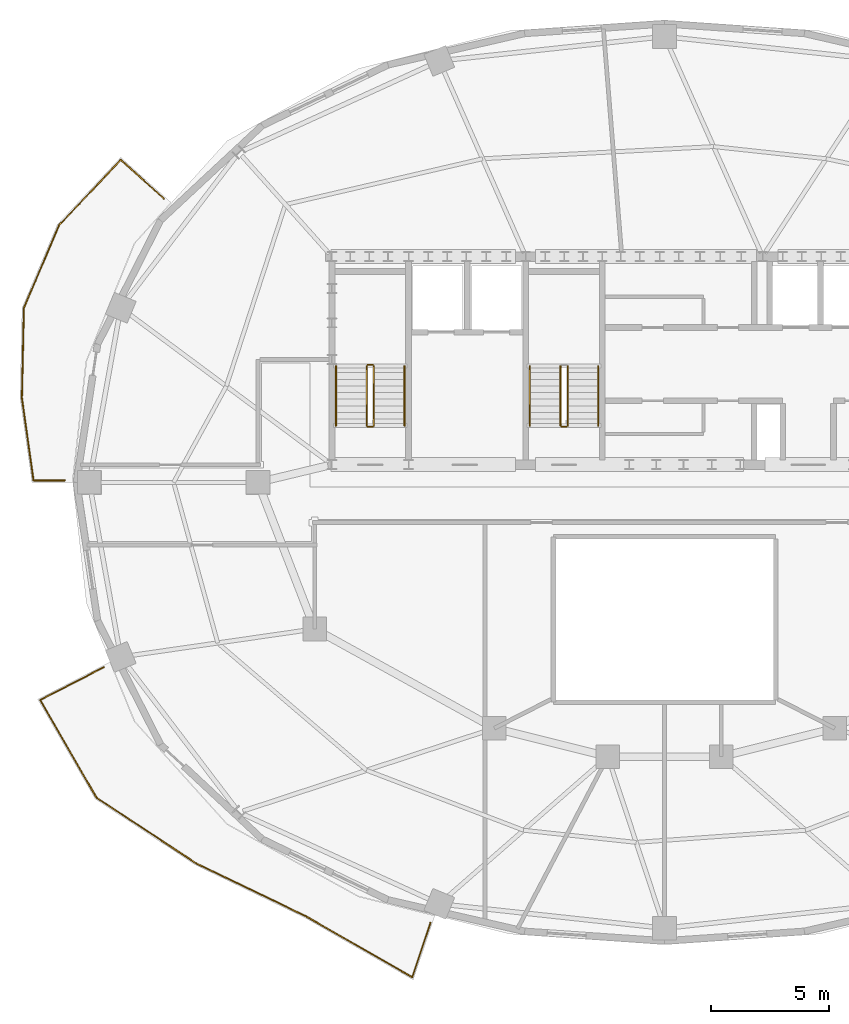
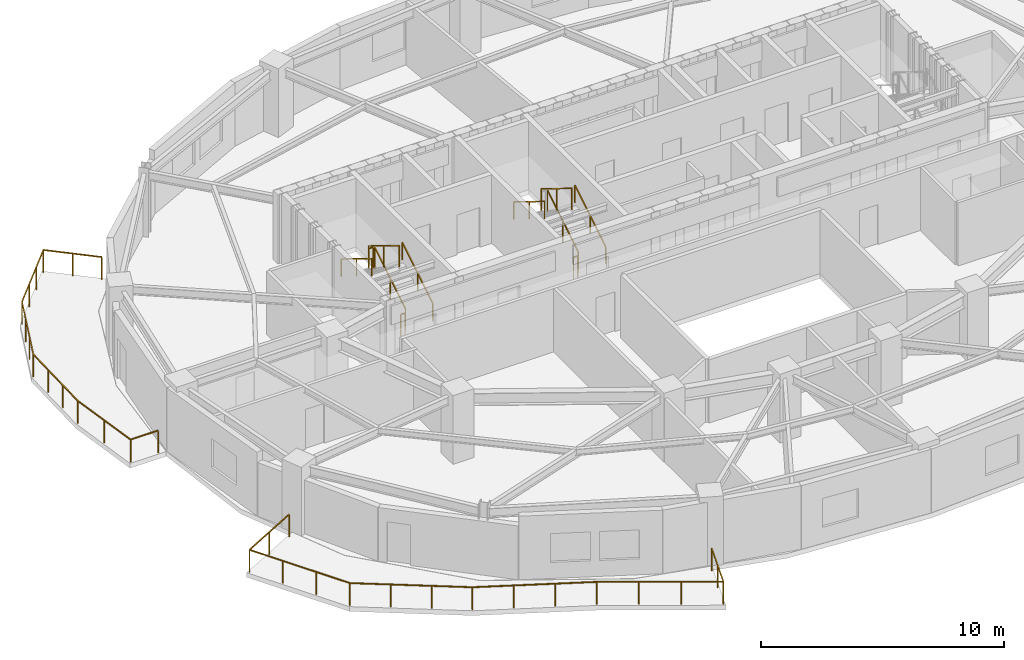
# One storey, part 6 of 9: 13 railings.
"""IFC4 building model written with IfcOpenShell, lengths in metres."""

from ifc_helpers import new_model, si_unit, direction, frame, origin, origin_2d, place, context, subcontext, project, spatial, rectangle, extrude, material, type_object, element, save


model = new_model("IFC4")

# Units and contexts
model_context = context("Model", 3, precision=1e-05, world=origin(), true_north=direction((0.0, 1.0)))
body_context = subcontext(model_context, "Body", "Model", "MODEL_VIEW")
ifc_project = project(units=[si_unit("LENGTHUNIT", "METRE"), si_unit("AREAUNIT", "SQUARE_METRE"), si_unit("VOLUMEUNIT", "CUBIC_METRE"), si_unit("PLANEANGLEUNIT", "RADIAN"), si_unit("MASSUNIT", "GRAM", prefix="KILO")], contexts=[model_context])

# Site, building, storey
site_placement = place(None, origin())
site = spatial("IfcSite", under=ifc_project, at=site_placement, CompositionType="ELEMENT")
building_placement = place(site_placement, origin())
building = spatial("IfcBuilding", under=site, at=building_placement, Name="Haldorwick Loom Tower", CompositionType="ELEMENT")
storey_placement = place(building_placement, frame((0.0, 0.0, 244.35009765625)))
storey = spatial("IfcBuildingStorey", under=building, at=storey_placement, Name="L66", CompositionType="ELEMENT", Elevation=244.35009765625)

# Railings
ifc_material_1 = material(Name="Galvanized Steel CSA G40.21 350W", Category="steel")
railing_type_1 = type_object("IfcRailingType", Name="ARC-RLG-BAL115", PredefinedType="BALUSTRADE", material=ifc_material_1)
railing_1_placement = place(storey_placement, frame((26.09814453125, 7.369384765625, 0.0)))
element("IfcRailing", 1, at=railing_1_placement, inside=storey, type_object=railing_type_1, Name="L66 Outdoor Terrace Guardrail SLB-L66-BAL_SW-1", PredefinedType="BALUSTRADE", context=body_context, shape_type="SweptSolid", body=[
    extrude(rectangle(XDim=0.048095703125, YDim=0.048095703125, at=origin_2d()), frame((0.0, 0.0, 1.1259765625), z_axis=(-0.318097128487, -0.948058129467, 0.0), x_axis=(0.948058129467, -0.318097128487, 0.0)), (0.0, 0.0, 1.0), 2.428466796875),
    extrude(rectangle(XDim=0.048095703125, YDim=0.048095703125, at=origin_2d()), frame((-0.7724609375, -2.30224609375, 1.1259765625), z_axis=(-0.867556557093, 0.497338536858, 0.0), x_axis=(-0.497338536858, -0.867556557093, 0.0)), (0.0, 0.0, 1.0), 5.21435546875),
    extrude(rectangle(XDim=0.048095703125, YDim=0.048095703125, at=origin_2d()), frame((-5.296142578125, 0.291015625, 1.1259765625), z_axis=(-0.88583153528, 0.464006994671, 0.0), x_axis=(-0.464006994671, -0.88583153528, 0.0)), (0.0, 0.0, 1.0), 0.005859375),
    extrude(rectangle(XDim=0.048095703125, YDim=0.048095703125, at=origin_2d()), frame((-5.30126953125, 0.293701171875, 1.1259765625), z_axis=(-0.900959540585, 0.43390310696, 0.0), x_axis=(-0.43390310696, -0.900959540585, 0.0)), (0.0, 0.0, 1.0), 5.117919921875),
    extrude(rectangle(XDim=0.048095703125, YDim=0.048095703125, at=origin_2d()), frame((-9.912353515625, 2.514404296875, 1.1259765625), z_axis=(-0.835016316528, 0.550225182204, 0.0), x_axis=(-0.550225182204, -0.835016316528, 0.0)), (0.0, 0.0, 1.0), 5.044921875),
    extrude(rectangle(XDim=0.048095703125, YDim=0.048095703125, at=origin_2d()), frame((-14.125, 5.290283203125, 1.1259765625), z_axis=(-0.499904092211, 0.866080769092, 0.0), x_axis=(-0.866080769092, -0.499904092211, 0.0)), (0.0, 0.0, 1.0), 4.7705078125),
    extrude(rectangle(XDim=0.048095703125, YDim=0.048095703125, at=origin_2d()), frame((-16.509765625, 9.421875, 1.1259765625), z_axis=(0.888515434259, 0.458846731583, 0.0), x_axis=(-0.458846731583, 0.888515434259, 0.0)), (0.0, 0.0, 1.0), 3.0205078125),
    extrude(rectangle(XDim=0.0419921875, YDim=0.0419921875, at=origin_2d()), origin(), (0.0, 0.0, 1.0), 1.101806640625),
    extrude(rectangle(XDim=0.0419921875, YDim=0.0419921875, at=origin_2d()), frame((-0.38623046875, -1.151123046875, 0.0)), (0.0, 0.0, 1.0), 1.101806640625),
    extrude(rectangle(XDim=0.0419921875, YDim=0.0419921875, at=origin_2d()), frame((-0.7724609375, -2.30224609375, 0.0)), (0.0, 0.0, 1.0), 1.101806640625),
    extrude(rectangle(XDim=0.0419921875, YDim=0.0419921875, at=origin_2d()), frame((-2.2802734375, -1.437744140625, 0.0)), (0.0, 0.0, 1.0), 1.101806640625),
    extrude(rectangle(XDim=0.0419921875, YDim=0.0419921875, at=origin_2d()), frame((-3.788330078125, -0.573486328125, 0.0)), (0.0, 0.0, 1.0), 1.101806640625),
    extrude(rectangle(XDim=0.0419921875, YDim=0.0419921875, at=origin_2d()), frame((-5.296142578125, 0.291015625, 0.0)), (0.0, 0.0, 1.0), 1.101806640625),
    extrude(rectangle(XDim=0.0419921875, YDim=0.0419921875, at=origin_2d()), frame((-6.83837890625, 1.033935546875, 0.0)), (0.0, 0.0, 1.0), 1.101806640625),
    extrude(rectangle(XDim=0.0419921875, YDim=0.0419921875, at=origin_2d()), frame((-8.375244140625, 1.774169921875, 0.0)), (0.0, 0.0, 1.0), 1.101806640625),
    extrude(rectangle(XDim=0.0419921875, YDim=0.0419921875, at=origin_2d()), frame((-9.912353515625, 2.514404296875, 0.0)), (0.0, 0.0, 1.0), 1.101806640625),
    extrude(rectangle(XDim=0.0419921875, YDim=0.0419921875, at=origin_2d()), frame((-11.316650390625, 3.439697265625, 0.0)), (0.0, 0.0, 1.0), 1.101806640625),
    extrude(rectangle(XDim=0.0419921875, YDim=0.0419921875, at=origin_2d()), frame((-12.720703125, 4.364990234375, 0.0)), (0.0, 0.0, 1.0), 1.101806640625),
    extrude(rectangle(XDim=0.0419921875, YDim=0.0419921875, at=origin_2d()), frame((-14.125, 5.290283203125, 0.0)), (0.0, 0.0, 1.0), 1.101806640625),
    extrude(rectangle(XDim=0.0419921875, YDim=0.0419921875, at=origin_2d()), frame((-14.919921875, 6.66748046875, 0.0)), (0.0, 0.0, 1.0), 1.101806640625),
    extrude(rectangle(XDim=0.0419921875, YDim=0.0419921875, at=origin_2d()), frame((-15.71484375, 8.044677734375, 0.0)), (0.0, 0.0, 1.0), 1.101806640625),
    extrude(rectangle(XDim=0.0419921875, YDim=0.0419921875, at=origin_2d()), frame((-16.509765625, 9.421875, 0.0)), (0.0, 0.0, 1.0), 1.101806640625),
    extrude(rectangle(XDim=0.0419921875, YDim=0.0419921875, at=origin_2d()), frame((-15.16796875, 10.11474609375, 0.0)), (0.0, 0.0, 1.0), 1.101806640625),
    extrude(rectangle(XDim=0.0419921875, YDim=0.0419921875, at=origin_2d()), frame((-13.825927734375, 10.807861328125, 0.0)), (0.0, 0.0, 1.0), 1.101806640625),
])
railing_2_placement = place(storey_placement, frame((10.6201171875, 26.080078125, 0.0)))
element("IfcRailing", 2, at=railing_2_placement, inside=storey, type_object=railing_type_1, Name="L66 Outdoor Terrace Guardrail SLB-L66-BAL_WNW-1", PredefinedType="BALUSTRADE", context=body_context, shape_type="SweptSolid", body=[
    extrude(rectangle(XDim=0.048095703125, YDim=0.048095703125, at=origin_2d()), frame((0.0, 0.0, 1.1259765625), z_axis=(-1.0, 0.0, 0.0), x_axis=(0.0, -1.0, 0.0)), (0.0, 0.0, 1.0), 1.31396484375),
    extrude(rectangle(XDim=0.048095703125, YDim=0.048095703125, at=origin_2d()), frame((-1.31396484375, 0.0, 1.1259765625), z_axis=(-0.139753531674, 0.990186321045, 0.0), x_axis=(-0.990186321045, -0.139753531674, 0.0)), (0.0, 0.0, 1.0), 3.525390625),
    extrude(rectangle(XDim=0.048095703125, YDim=0.048095703125, at=origin_2d()), frame((-1.806640625, 3.49072265625, 1.1259765625), z_axis=(0.022039763709, 0.999757094906, 0.0), x_axis=(-0.999757094906, 0.022039763709, 0.0)), (0.0, 0.0, 1.0), 3.799560546875),
    extrude(rectangle(XDim=0.048095703125, YDim=0.048095703125, at=origin_2d()), frame((-1.722900390625, 7.289306640625, 1.1259765625), z_axis=(0.390058661454, 0.920790008973, 0.0), x_axis=(-0.920790008973, 0.390058661454, 0.0)), (0.0, 0.0, 1.0), 3.80419921875),
    extrude(rectangle(XDim=0.048095703125, YDim=0.048095703125, at=origin_2d()), frame((-0.239013671875, 10.792236328125, 1.1259765625), z_axis=(0.68661601203, 0.72702025558, 0.0), x_axis=(-0.72702025558, 0.68661601203, 0.0)), (0.0, 0.0, 1.0), 3.812744140625),
    extrude(rectangle(XDim=0.048095703125, YDim=0.048095703125, at=origin_2d()), frame((2.37890625, 13.564208984375, 1.1259765625), z_axis=(0.74350700647, -0.668728144563, 0.0), x_axis=(0.668728144563, 0.74350700647, 0.0)), (0.0, 0.0, 1.0), 2.451904296875),
    extrude(rectangle(XDim=0.0419921875, YDim=0.0419921875, at=origin_2d()), origin(), (0.0, 0.0, 1.0), 1.101806640625),
    extrude(rectangle(XDim=0.0419921875, YDim=0.0419921875, at=origin_2d()), frame((-1.31396484375, 0.0, 0.0)), (0.0, 0.0, 1.0), 1.101806640625),
    extrude(rectangle(XDim=0.0419921875, YDim=0.0419921875, at=origin_2d()), frame((-1.560302734375, 1.745361328125, 0.0)), (0.0, 0.0, 1.0), 1.101806640625),
    extrude(rectangle(XDim=0.0419921875, YDim=0.0419921875, at=origin_2d()), frame((-1.806640625, 3.49072265625, 0.0)), (0.0, 0.0, 1.0), 1.101806640625),
    extrude(rectangle(XDim=0.0419921875, YDim=0.0419921875, at=origin_2d()), frame((-1.77880859375, 4.7568359375, 0.0)), (0.0, 0.0, 1.0), 1.101806640625),
    extrude(rectangle(XDim=0.0419921875, YDim=0.0419921875, at=origin_2d()), frame((-1.750732421875, 6.023193359375, 0.0)), (0.0, 0.0, 1.0), 1.101806640625),
    extrude(rectangle(XDim=0.0419921875, YDim=0.0419921875, at=origin_2d()), frame((-1.722900390625, 7.289306640625, 0.0)), (0.0, 0.0, 1.0), 1.101806640625),
    extrude(rectangle(XDim=0.0419921875, YDim=0.0419921875, at=origin_2d()), frame((-1.228271484375, 8.45703125, 0.0)), (0.0, 0.0, 1.0), 1.101806640625),
    extrude(rectangle(XDim=0.0419921875, YDim=0.0419921875, at=origin_2d()), frame((-0.733642578125, 9.62451171875, 0.0)), (0.0, 0.0, 1.0), 1.101806640625),
    extrude(rectangle(XDim=0.0419921875, YDim=0.0419921875, at=origin_2d()), frame((-0.239013671875, 10.792236328125, 0.0)), (0.0, 0.0, 1.0), 1.101806640625),
    extrude(rectangle(XDim=0.0419921875, YDim=0.0419921875, at=origin_2d()), frame((0.633544921875, 11.71630859375, 0.0)), (0.0, 0.0, 1.0), 1.101806640625),
    extrude(rectangle(XDim=0.0419921875, YDim=0.0419921875, at=origin_2d()), frame((1.50634765625, 12.64013671875, 0.0)), (0.0, 0.0, 1.0), 1.101806640625),
    extrude(rectangle(XDim=0.0419921875, YDim=0.0419921875, at=origin_2d()), frame((2.37890625, 13.564208984375, 0.0)), (0.0, 0.0, 1.0), 1.101806640625),
    extrude(rectangle(XDim=0.0419921875, YDim=0.0419921875, at=origin_2d()), frame((3.29052734375, 12.744384765625, 0.0)), (0.0, 0.0, 1.0), 1.101806640625),
    extrude(rectangle(XDim=0.0419921875, YDim=0.0419921875, at=origin_2d()), frame((4.201904296875, 11.924560546875, 0.0)), (0.0, 0.0, 1.0), 1.101806640625),
])
ifc_material_2 = material(Name="Steel CSA G40.21 350W", Category="steel")
railing_type_2 = type_object("IfcRailingType", Name="ARC-RLG-GUARD112", PredefinedType="GUARDRAIL", material=ifc_material_2)
railing_3_placement = place(storey_placement, frame((23.699951171875, 28.39990234375, 0.17236328125)))
element("IfcRailing", 3, at=railing_3_placement, inside=storey, type_object=railing_type_2, Name="L66 ST-01 stair guard 1", PredefinedType="GUARDRAIL", context=body_context, shape_type="SweptSolid", body=[
    extrude(rectangle(XDim=0.048095703125, YDim=0.048095703125, at=origin_2d()), frame((0.0, 0.0, 1.076171875), z_axis=(0.0, 0.851400495292, 0.524516154772), x_axis=(-1.0, 0.0, 0.0)), (0.0, 0.0, 1.0), 2.9599609375),
    extrude(rectangle(XDim=0.0419921875, YDim=0.0419921875, at=origin_2d()), origin(), (0.0, 0.0, 1.0), 1.052001953125),
    extrude(rectangle(XDim=0.0419921875, YDim=0.0419921875, at=origin_2d()), frame((0.0, 1.260009765625, 0.7763671875)), (0.0, 0.0, 1.0), 1.052001953125),
    extrude(rectangle(XDim=0.0419921875, YDim=0.0419921875, at=origin_2d()), frame((0.0, 2.52001953125, 1.552490234375)), (0.0, 0.0, 1.0), 1.052001953125),
])
railing_4_placement = place(storey_placement, frame((23.64990234375, 30.969970703125, 1.724853515625)))
element("IfcRailing", 4, at=railing_4_placement, inside=storey, type_object=railing_type_2, Name="L66 ST-01 stair guard 2", PredefinedType="GUARDRAIL", context=body_context, shape_type="SweptSolid", body=[
    extrude(rectangle(XDim=0.048095703125, YDim=0.048095703125, at=origin_2d()), frame((0.0, 0.0, 1.076171875), z_axis=(-1.0, 0.0, 0.0), x_axis=(0.0, -1.0, 0.0)), (0.0, 0.0, 1.0), 0.199951171875),
    extrude(rectangle(XDim=0.0419921875, YDim=0.0419921875, at=origin_2d()), origin(), (0.0, 0.0, 1.0), 1.052001953125),
    extrude(rectangle(XDim=0.0419921875, YDim=0.0419921875, at=origin_2d()), frame((-0.199951171875, 0.0, 0.0)), (0.0, 0.0, 1.0), 1.052001953125),
])
railing_5_placement = place(storey_placement, frame((23.39990234375, 30.919921875, 1.8974609375)))
element("IfcRailing", 5, at=railing_5_placement, inside=storey, type_object=railing_type_2, Name="L66 ST-01 stair guard 3", PredefinedType="GUARDRAIL", context=body_context, shape_type="SweptSolid", body=[
    extrude(rectangle(XDim=0.048095703125, YDim=0.048095703125, at=origin_2d()), frame((0.0, 0.0, 1.076171875), z_axis=(0.0, -0.851400495292, 0.524516154772), x_axis=(1.0, 0.0, 0.0)), (0.0, 0.0, 1.0), 2.9599609375),
    extrude(rectangle(XDim=0.0419921875, YDim=0.0419921875, at=origin_2d()), origin(), (0.0, 0.0, 1.0), 1.052001953125),
    extrude(rectangle(XDim=0.0419921875, YDim=0.0419921875, at=origin_2d()), frame((0.0, -1.260009765625, 0.7763671875)), (0.0, 0.0, 1.0), 1.052001953125),
    extrude(rectangle(XDim=0.0419921875, YDim=0.0419921875, at=origin_2d()), frame((0.0, -2.52001953125, 1.552490234375)), (0.0, 0.0, 1.0), 1.052001953125),
])
railing_6_placement = place(storey_placement, frame((23.64990234375, 28.35009765625, 0.0)))
element("IfcRailing", 6, at=railing_6_placement, inside=storey, type_object=railing_type_2, Name="L66 ST-01 stair guard 4", PredefinedType="GUARDRAIL", context=body_context, shape_type="SweptSolid", body=[
    extrude(rectangle(XDim=0.048095703125, YDim=0.048095703125, at=origin_2d()), frame((0.0, 0.0, 1.076171875), z_axis=(-1.0, 0.0, 0.0), x_axis=(0.0, -1.0, 0.0)), (0.0, 0.0, 1.0), 0.199951171875),
    extrude(rectangle(XDim=0.0419921875, YDim=0.0419921875, at=origin_2d()), origin(), (0.0, 0.0, 1.0), 1.052001953125),
    extrude(rectangle(XDim=0.0419921875, YDim=0.0419921875, at=origin_2d()), frame((-0.199951171875, 0.0, 0.0)), (0.0, 0.0, 1.0), 1.052001953125),
])
railing_7_placement = place(storey_placement, frame((31.89990234375, 28.39990234375, 0.17236328125)))
element("IfcRailing", 7, at=railing_7_placement, inside=storey, type_object=railing_type_2, Name="L66 ST-03 stair guard 1", PredefinedType="GUARDRAIL", context=body_context, shape_type="SweptSolid", body=[
    extrude(rectangle(XDim=0.048095703125, YDim=0.048095703125, at=origin_2d()), frame((0.0, 0.0, 1.076171875), z_axis=(0.0, 0.851400495292, 0.524516154772), x_axis=(-1.0, 0.0, 0.0)), (0.0, 0.0, 1.0), 2.9599609375),
    extrude(rectangle(XDim=0.0419921875, YDim=0.0419921875, at=origin_2d()), origin(), (0.0, 0.0, 1.0), 1.052001953125),
    extrude(rectangle(XDim=0.0419921875, YDim=0.0419921875, at=origin_2d()), frame((0.0, 1.260009765625, 0.7763671875)), (0.0, 0.0, 1.0), 1.052001953125),
    extrude(rectangle(XDim=0.0419921875, YDim=0.0419921875, at=origin_2d()), frame((0.0, 2.52001953125, 1.552490234375)), (0.0, 0.0, 1.0), 1.052001953125),
])
railing_8_placement = place(storey_placement, frame((31.60009765625, 30.919921875, 1.8974609375)))
element("IfcRailing", 8, at=railing_8_placement, inside=storey, type_object=railing_type_2, Name="L66 ST-03 stair guard 3", PredefinedType="GUARDRAIL", context=body_context, shape_type="SweptSolid", body=[
    extrude(rectangle(XDim=0.048095703125, YDim=0.048095703125, at=origin_2d()), frame((0.0, 0.0, 1.076171875), z_axis=(0.0, -0.851400495292, 0.524516154772), x_axis=(1.0, 0.0, 0.0)), (0.0, 0.0, 1.0), 2.9599609375),
    extrude(rectangle(XDim=0.0419921875, YDim=0.0419921875, at=origin_2d()), origin(), (0.0, 0.0, 1.0), 1.052001953125),
    extrude(rectangle(XDim=0.0419921875, YDim=0.0419921875, at=origin_2d()), frame((0.0, -1.260009765625, 0.7763671875)), (0.0, 0.0, 1.0), 1.052001953125),
    extrude(rectangle(XDim=0.0419921875, YDim=0.0419921875, at=origin_2d()), frame((0.0, -2.52001953125, 1.552490234375)), (0.0, 0.0, 1.0), 1.052001953125),
])
railing_9_placement = place(storey_placement, frame((31.85009765625, 28.35009765625, 0.0)))
element("IfcRailing", 9, at=railing_9_placement, inside=storey, type_object=railing_type_2, Name="L66 ST-03 stair guard 4", PredefinedType="GUARDRAIL", context=body_context, shape_type="SweptSolid", body=[
    extrude(rectangle(XDim=0.048095703125, YDim=0.048095703125, at=origin_2d()), frame((0.0, 0.0, 1.076171875), z_axis=(-1.0, 0.0, 0.0), x_axis=(0.0, -1.0, 0.0)), (0.0, 0.0, 1.0), 0.2001953125),
    extrude(rectangle(XDim=0.0419921875, YDim=0.0419921875, at=origin_2d()), origin(), (0.0, 0.0, 1.0), 1.052001953125),
    extrude(rectangle(XDim=0.0419921875, YDim=0.0419921875, at=origin_2d()), frame((-0.2001953125, 0.0, 0.0)), (0.0, 0.0, 1.0), 1.052001953125),
])
railing_type_3 = type_object("IfcRailingType", Name="ARC-RLG-HAND092", PredefinedType="HANDRAIL", material=ifc_material_2)
railing_10_placement = place(storey_placement, frame((25.0, 28.39990234375, 0.17236328125)))
element("IfcRailing", 10, at=railing_10_placement, inside=storey, type_object=railing_type_3, Name="L66 ST-01 stair handrail 1", PredefinedType="HANDRAIL", context=body_context, shape_type="SweptSolid", body=[
    extrude(rectangle(XDim=0.048095703125, YDim=0.048095703125, at=origin_2d()), frame((0.0, 0.0, 0.8759765625), z_axis=(0.0, 0.851400495292, 0.524516154772), x_axis=(-1.0, 0.0, 0.0)), (0.0, 0.0, 1.0), 2.9599609375),
    extrude(rectangle(XDim=0.0419921875, YDim=0.0419921875, at=origin_2d()), origin(), (0.0, 0.0, 1.0), 0.851806640625),
    extrude(rectangle(XDim=0.0419921875, YDim=0.0419921875, at=origin_2d()), frame((0.0, 1.260009765625, 0.7763671875)), (0.0, 0.0, 1.0), 0.851806640625),
    extrude(rectangle(XDim=0.0419921875, YDim=0.0419921875, at=origin_2d()), frame((0.0, 2.52001953125, 1.552490234375)), (0.0, 0.0, 1.0), 0.851806640625),
])
railing_11_placement = place(storey_placement, frame((22.10009765625, 30.919921875, 1.8974609375)))
element("IfcRailing", 11, at=railing_11_placement, inside=storey, type_object=railing_type_3, Name="L66 ST-01 stair handrail 2", PredefinedType="HANDRAIL", context=body_context, shape_type="SweptSolid", body=[
    extrude(rectangle(XDim=0.048095703125, YDim=0.048095703125, at=origin_2d()), frame((0.0, 0.0, 0.8759765625), z_axis=(0.0, -0.851400495292, 0.524516154772), x_axis=(1.0, 0.0, 0.0)), (0.0, 0.0, 1.0), 2.9599609375),
    extrude(rectangle(XDim=0.0419921875, YDim=0.0419921875, at=origin_2d()), origin(), (0.0, 0.0, 1.0), 0.851806640625),
    extrude(rectangle(XDim=0.0419921875, YDim=0.0419921875, at=origin_2d()), frame((0.0, -1.260009765625, 0.7763671875)), (0.0, 0.0, 1.0), 0.851806640625),
    extrude(rectangle(XDim=0.0419921875, YDim=0.0419921875, at=origin_2d()), frame((0.0, -2.52001953125, 1.552490234375)), (0.0, 0.0, 1.0), 0.851806640625),
])
railing_12_placement = place(storey_placement, frame((33.199951171875, 28.39990234375, 0.17236328125)))
element("IfcRailing", 12, at=railing_12_placement, inside=storey, type_object=railing_type_3, Name="L66 ST-03 stair handrail 1", PredefinedType="HANDRAIL", context=body_context, shape_type="SweptSolid", body=[
    extrude(rectangle(XDim=0.048095703125, YDim=0.048095703125, at=origin_2d()), frame((0.0, 0.0, 0.8759765625), z_axis=(0.0, 0.851400495292, 0.524516154772), x_axis=(-1.0, 0.0, 0.0)), (0.0, 0.0, 1.0), 2.9599609375),
    extrude(rectangle(XDim=0.0419921875, YDim=0.0419921875, at=origin_2d()), origin(), (0.0, 0.0, 1.0), 0.851806640625),
    extrude(rectangle(XDim=0.0419921875, YDim=0.0419921875, at=origin_2d()), frame((0.0, 1.260009765625, 0.7763671875)), (0.0, 0.0, 1.0), 0.851806640625),
    extrude(rectangle(XDim=0.0419921875, YDim=0.0419921875, at=origin_2d()), frame((0.0, 2.52001953125, 1.552490234375)), (0.0, 0.0, 1.0), 0.851806640625),
])
railing_13_placement = place(storey_placement, frame((30.300048828125, 30.919921875, 1.8974609375)))
element("IfcRailing", 13, at=railing_13_placement, inside=storey, type_object=railing_type_3, Name="L66 ST-03 stair handrail 2", PredefinedType="HANDRAIL", context=body_context, shape_type="SweptSolid", body=[
    extrude(rectangle(XDim=0.048095703125, YDim=0.048095703125, at=origin_2d()), frame((0.0, 0.0, 0.8759765625), z_axis=(0.0, -0.851400495292, 0.524516154772), x_axis=(1.0, 0.0, 0.0)), (0.0, 0.0, 1.0), 2.9599609375),
    extrude(rectangle(XDim=0.0419921875, YDim=0.0419921875, at=origin_2d()), origin(), (0.0, 0.0, 1.0), 0.851806640625),
    extrude(rectangle(XDim=0.0419921875, YDim=0.0419921875, at=origin_2d()), frame((0.0, -1.260009765625, 0.7763671875)), (0.0, 0.0, 1.0), 0.851806640625),
    extrude(rectangle(XDim=0.0419921875, YDim=0.0419921875, at=origin_2d()), frame((0.0, -2.52001953125, 1.552490234375)), (0.0, 0.0, 1.0), 0.851806640625),
])

save(model, "model.ifc")
